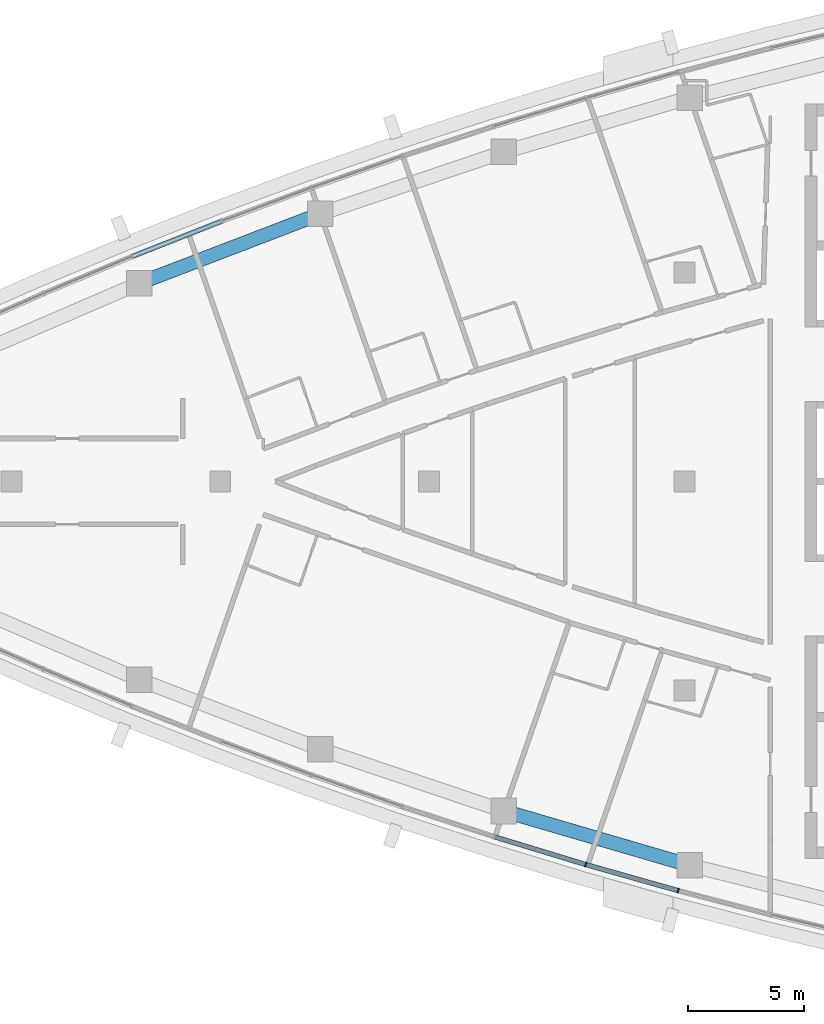
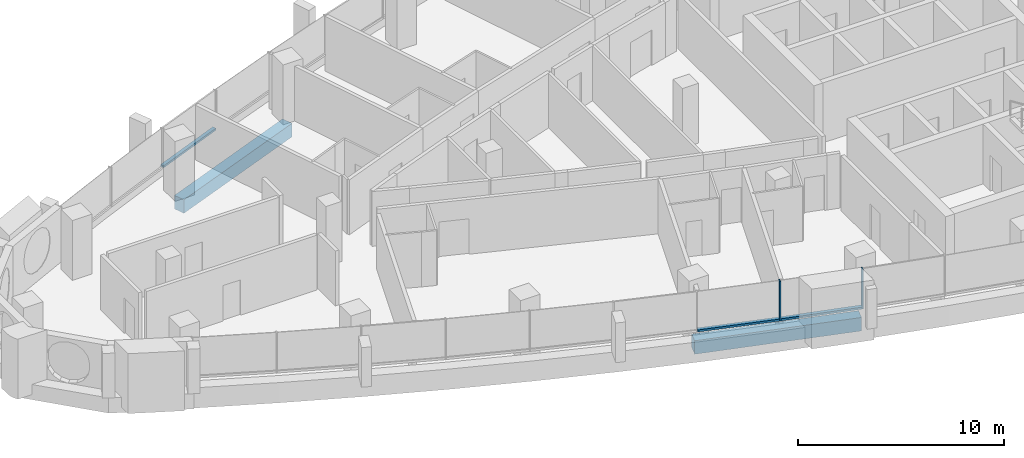
# One storey, part 3 of 14: 5 members, 2 beams, 2 elements without a shape of their own.
"""IFC4 building model written with IfcOpenShell, lengths in metres."""

from ifc_helpers import new_model, si_unit, direction, frame, origin, origin_2d, place, context, subcontext, project, spatial, rectangle, extrude, material, layer, layer_set, material_profile, profile_set, type_object, element, aggregate, save


model = new_model("IFC4")

# Units and contexts
model_context = context("Model", 3, precision=1e-05, world=origin(), true_north=direction((0.0, 1.0)))
body_context = subcontext(model_context, "Body", "Model", "MODEL_VIEW")
ifc_project = project(units=[si_unit("LENGTHUNIT", "METRE"), si_unit("AREAUNIT", "SQUARE_METRE"), si_unit("VOLUMEUNIT", "CUBIC_METRE"), si_unit("PLANEANGLEUNIT", "RADIAN"), si_unit("MASSUNIT", "GRAM", prefix="KILO")], contexts=[model_context])

# Site, building, storey
site_placement = place(None, origin())
site = spatial("IfcSite", under=ifc_project, at=site_placement, CompositionType="ELEMENT")
building_placement = place(site_placement, origin())
building = spatial("IfcBuilding", under=site, at=building_placement, Name="Ostrand Prow Hotel Tower", CompositionType="ELEMENT")
storey_placement = place(building_placement, frame((0.0, 0.0, 296.300048828125)))
storey = spatial("IfcBuildingStorey", under=building, at=storey_placement, Name="L75", CompositionType="ELEMENT", Elevation=296.300048828125)

# Beams
ifc_material_1 = material(Name="Concrete C50/60", Category="concrete")
ifc_material_profile_1 = material_profile(ifc_material_1, rectangle(XDim=0.60009765625, YDim=0.800048828125, at=origin_2d()), Name="RC 600x800")
ifc_profile_set_1 = profile_set([ifc_material_profile_1], Name="Concrete C50/60")
beam_type = type_object("IfcBeamType", Name="Edge beam 600x800 C50/60", PredefinedType="SPANDREL", material=ifc_profile_set_1)
for number, where, z_axis, x_axis, name in (
    (1, (37.22119140625, -14.19580078125, -0.699951171875), (0.959821966031, -0.280609681809, 0.0), (0.280609681809, 0.959821966031, 0.0), "Edge beam S4-S5"),
    (2, (29.31005859375, 11.528076171875, -0.699951171875), (-0.933761753797, -0.357895218111, 0.0), (0.357895218111, -0.933761753797, 0.0), "Edge beam N4-N5"),
):
    element("IfcBeam", number, at=place(storey_placement, frame(where, z_axis=z_axis, x_axis=x_axis)), inside=storey, type_object=beam_type, Name=name, PredefinedType="SPANDREL", context=body_context, shape_type="SweptSolid", body=[
        extrude(rectangle(XDim=0.60009765625, YDim=0.800048828125, at=origin_2d()), origin(), (0.0, 0.0, 1.0), 8.348876953125),
    ])

# Curtain wall, members
ifc_material_2 = material(Name="Insulated glass in bronze anodised frame", Category="glass")
ifc_layer = layer(ifc_material_2, 0.199951171875)
ifc_layer_set = layer_set([ifc_layer], Name="Insulated glass in bronze anodised frame")
curtain_wall_type = type_object("IfcCurtainWallType", Name="Strip curtain wall, fritted glass over bronze spandrel", PredefinedType="NOTDEFINED", material=ifc_layer_set)
curtain_wall_1_placement = place(storey_placement, origin())
curtain_wall_1 = element("IfcCurtainWall", 3, at=curtain_wall_1_placement, inside=storey, type_object=curtain_wall_type, Name="CW1 run CWS4", PredefinedType="NOTDEFINED")
ifc_material_3 = material(Name="Bronze anodised aluminium", Category="aluminium")
ifc_material_profile_2 = material_profile(ifc_material_3, rectangle(XDim=0.199951171875, YDim=0.06005859375, at=origin_2d()), Name="Mullion 60x200 bronze anodised aluminium")
ifc_profile_set_2 = profile_set([ifc_material_profile_2], Name="Bronze anodised aluminium")
member_type_1 = type_object("IfcMemberType", Name="Mullion 60x200 bronze anodised aluminium", PredefinedType="MULLION", material=ifc_profile_set_2)
member_1_placement = place(storey_placement, frame((40.744384765625, -16.502197265625, 0.89990234375), z_axis=(0.0, 0.0, 1.0), x_axis=(0.271648738865, 0.962396468548, 0.0)))
member_1 = element("IfcMember", 4, at=member_1_placement, type_object=member_type_1, Name="CW1 mullion 2", PredefinedType="MULLION", context=body_context, shape_type="SweptSolid", body=[
    extrude(rectangle(XDim=0.199951171875, YDim=0.06005859375, at=origin_2d()), origin(), (0.0, 0.0, 1.0), 2.35009765625),
])
member_2_placement = place(storey_placement, frame((44.728515625, -17.626708984375, 0.89990234375), z_axis=(0.0, 0.0, 1.0), x_axis=(0.271648738865, 0.962396468548, 0.0)))
member_2 = element("IfcMember", 5, at=member_2_placement, type_object=member_type_1, Name="CW1 mullion 3", PredefinedType="MULLION", context=body_context, shape_type="SweptSolid", body=[
    extrude(rectangle(XDim=0.199951171875, YDim=0.06005859375, at=origin_2d()), origin(), (0.0, 0.0, 1.0), 2.35009765625),
])
ifc_material_4 = material(Name="Bronze anodised aluminium", Category="aluminium")
ifc_material_profile_3 = material_profile(ifc_material_4, rectangle(XDim=0.199951171875, YDim=0.1201171875, at=origin_2d()), Name="Transom 120x200 bronze anodised aluminium")
ifc_profile_set_3 = profile_set([ifc_material_profile_3], Name="Bronze anodised aluminium")
member_type_2 = type_object("IfcMemberType", Name="Transom 120x200 bronze anodised aluminium", PredefinedType="USERDEFINED", material=ifc_profile_set_3)
member_3_placement = place(storey_placement, frame((36.8125, -15.306396484375, 0.9599609375), z_axis=(0.956739081124, -0.290947298751, 0.0), x_axis=(0.290947298751, 0.956739081124, 0.0)))
member_3 = element("IfcMember", 6, at=member_3_placement, type_object=member_type_2, Name="CW1 transom 1.1", ObjectType="TRANSOM", PredefinedType="USERDEFINED", context=body_context, shape_type="SweptSolid", body=[
    extrude(rectangle(XDim=0.199951171875, YDim=0.1201171875, at=origin_2d()), origin(), (0.0, 0.0, 1.0), 4.079833984375),
])
member_4_placement = place(storey_placement, frame((40.7734375, -16.51025390625, 0.9599609375), z_axis=(0.962386308628, -0.271684730828, 0.0), x_axis=(0.271684730828, 0.962386308628, 0.0)))
member_4 = element("IfcMember", 7, at=member_4_placement, type_object=member_type_2, Name="CW1 transom 2.1", ObjectType="TRANSOM", PredefinedType="USERDEFINED", context=body_context, shape_type="SweptSolid", body=[
    extrude(rectangle(XDim=0.199951171875, YDim=0.1201171875, at=origin_2d()), origin(), (0.0, 0.0, 1.0), 4.079833984375),
])
aggregate(curtain_wall_1, [member_1, member_2, member_3, member_4])

# Curtain wall, member
curtain_wall_2_placement = place(storey_placement, origin())
curtain_wall_2 = element("IfcCurtainWall", 8, at=curtain_wall_2_placement, inside=storey, type_object=curtain_wall_type, Name="CW1 run CWN4", PredefinedType="NOTDEFINED")
member_5_placement = place(storey_placement, frame((25.0302734375, 11.19921875, 0.9599609375), z_axis=(-0.930289613186, -0.366825892759, 0.0), x_axis=(0.366825892759, -0.930289613186, 0.0)))
member_5 = element("IfcMember", 9, at=member_5_placement, type_object=member_type_2, Name="CW1 transom 2.1", ObjectType="TRANSOM", PredefinedType="USERDEFINED", context=body_context, shape_type="SweptSolid", body=[
    extrude(rectangle(XDim=0.199951171875, YDim=0.1201171875, at=origin_2d()), origin(), (0.0, 0.0, 1.0), 4.079833984375),
])
aggregate(curtain_wall_2, [member_5])

save(model, "model.ifc")
